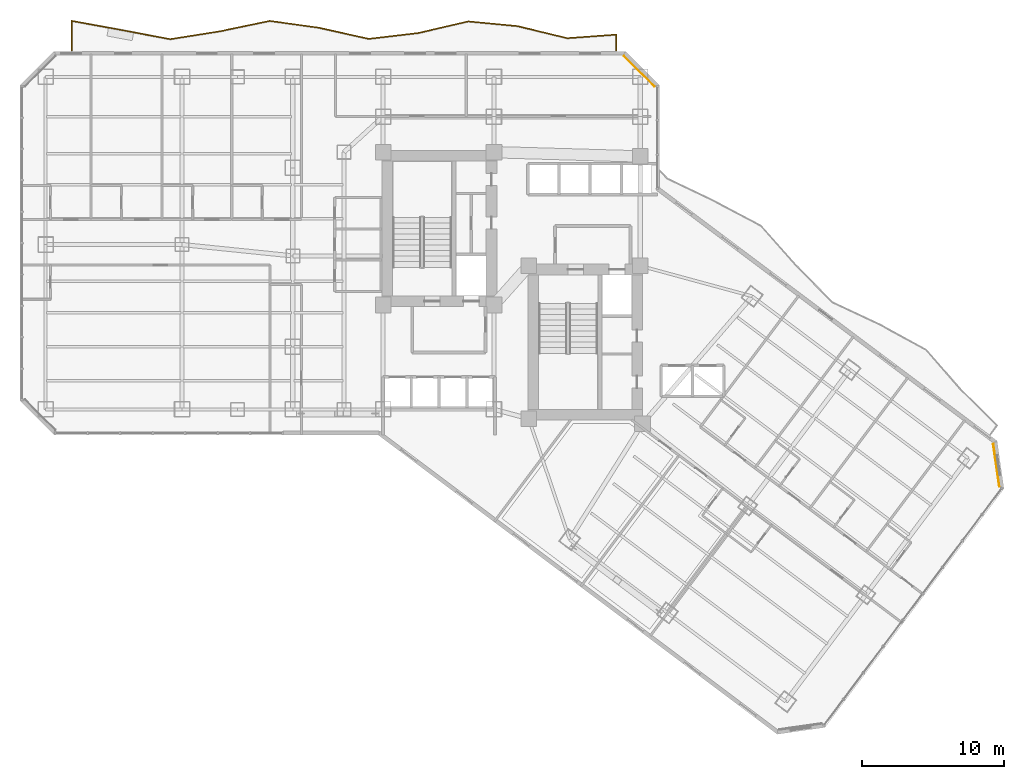
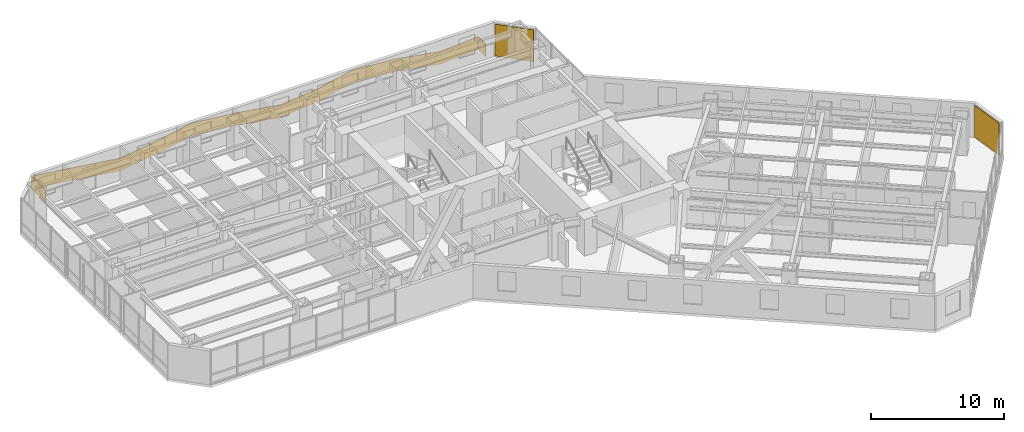
# One storey, part 33 of 33: 2 coverings, 1 railing.
"""IFC4 building model written with IfcOpenShell, lengths in metres."""

from ifc_helpers import new_model, si_unit, direction, frame, origin, origin_2d, place, context, subcontext, project, spatial, polyline, rectangle, outline, extrude, material, layer, layer_set, type_object, element, save


model = new_model("IFC4")

# Units and contexts
model_context = context("Model", 3, precision=1e-05, world=origin(), true_north=direction((0.0, 1.0)))
body_context = subcontext(model_context, "Body", "Model", "MODEL_VIEW")
ifc_project = project(units=[si_unit("LENGTHUNIT", "METRE"), si_unit("AREAUNIT", "SQUARE_METRE"), si_unit("VOLUMEUNIT", "CUBIC_METRE"), si_unit("PLANEANGLEUNIT", "RADIAN"), si_unit("MASSUNIT", "GRAM", prefix="KILO")], contexts=[model_context])

# Site, building, storey
site_placement = place(None, origin())
site = spatial("IfcSite", under=ifc_project, at=site_placement, CompositionType="ELEMENT")
building_placement = place(site_placement, origin())
building = spatial("IfcBuilding", under=site, at=building_placement, Name="Hatsunagi Terrace Concourse", CompositionType="ELEMENT")
storey_placement = place(building_placement, frame((0.0, 0.0, 43.300048828125)))
storey = spatial("IfcBuildingStorey", under=building, at=storey_placement, Name="L10", CompositionType="ELEMENT", Elevation=43.300048828125)

# Railing
ifc_material_1 = material(Name="Laminated Glass and Stainless Steel Guard", Category="steel")
ifc_layer_1 = layer(ifc_material_1, 0.070068359375)
ifc_layer_set_1 = layer_set([ifc_layer_1], Name="BalconyGlassGuardRail_1150")
railing_type = type_object("IfcRailingType", Name="BalconyGlassGuardRail_1150", PredefinedType="BALUSTRADE", material=ifc_layer_set_1)
railing_placement = place(storey_placement, origin())
element("IfcRailing", 1, at=railing_placement, inside=storey, type_object=railing_type, Name="Engawa Balcony Guard GRD-01 L10-BN-1", PredefinedType="BALUSTRADE", context=body_context, shape_type="SweptSolid", body=[
    extrude(outline(polyline([(3.614990234375, 50.449951171875), (3.68505859375, 50.449951171875), (3.68505859375, 52.497802734375), (10.58056640625, 51.216552734375), (14.08837890625, 51.774658203125), (17.567138671875, 52.50146484375), (21.039794921875, 52.01953125), (24.540283203125, 51.239501953125), (28.051025390625, 51.653564453125), (31.532470703125, 52.466552734375), (35.004150390625, 52.136474609375), (38.502197265625, 51.28662109375), (41.9150390625, 51.533447265625), (41.9150390625, 50.449951171875), (41.985107421875, 50.449951171875), (41.985107421875, 51.608642578125), (38.5078125, 51.357421875), (35.015869140625, 52.20556640625), (31.527587890625, 52.537353515625), (28.0390625, 51.722412109375), (24.543701171875, 51.310546875), (21.05224609375, 52.08837890625), (17.564697265625, 52.572509765625), (14.07568359375, 51.843505859375), (10.58154296875, 51.28759765625), (3.614990234375, 52.58203125), (3.614990234375, 50.449951171875)])), origin(), (0.0, 0.0, 1.0), 1.14990234375),
])

# Coverings
ifc_material_2 = material(Name="Unglazed Warm Terracotta Rainscreen Tile", Category="masonry")
ifc_layer_2 = layer(ifc_material_2, 0.044921875)
ifc_layer_set_2 = layer_set([ifc_layer_2], Name="TerracottaRainscreenCladding_45")
covering_type = type_object("IfcCoveringType", Name="TerracottaRainscreenCladding_45", PredefinedType="CLADDING", material=ifc_layer_set_2)
for number, where, z_axis, x_axis, name in (
    (2, (68.700927734375, 21.258056640625, 0.10009765625), (0.0, 0.0, 1.0), (0.141250262458, -0.989973920543, 0.0), "Terracotta Rainscreen Cladding L10-02"),
    (3, (43.5859375, 48.986083984375, 0.10009765625), (0.0, 0.0, 1.0), (0.707106781187, -0.707106781187, 0.0), "Terracotta Rainscreen Cladding L10-12"),
):
    element("IfcCovering", number, at=place(storey_placement, frame(where, z_axis=z_axis, x_axis=x_axis)), inside=storey, type_object=covering_type, Name=name, PredefinedType="CLADDING", context=body_context, shape_type="SweptSolid", body=[
        extrude(rectangle(XDim=3.0380859375, YDim=0.044921875, at=origin_2d()), origin(), (0.0, 0.0, 1.0), 2.929931640625),
    ])

save(model, "model.ifc")
